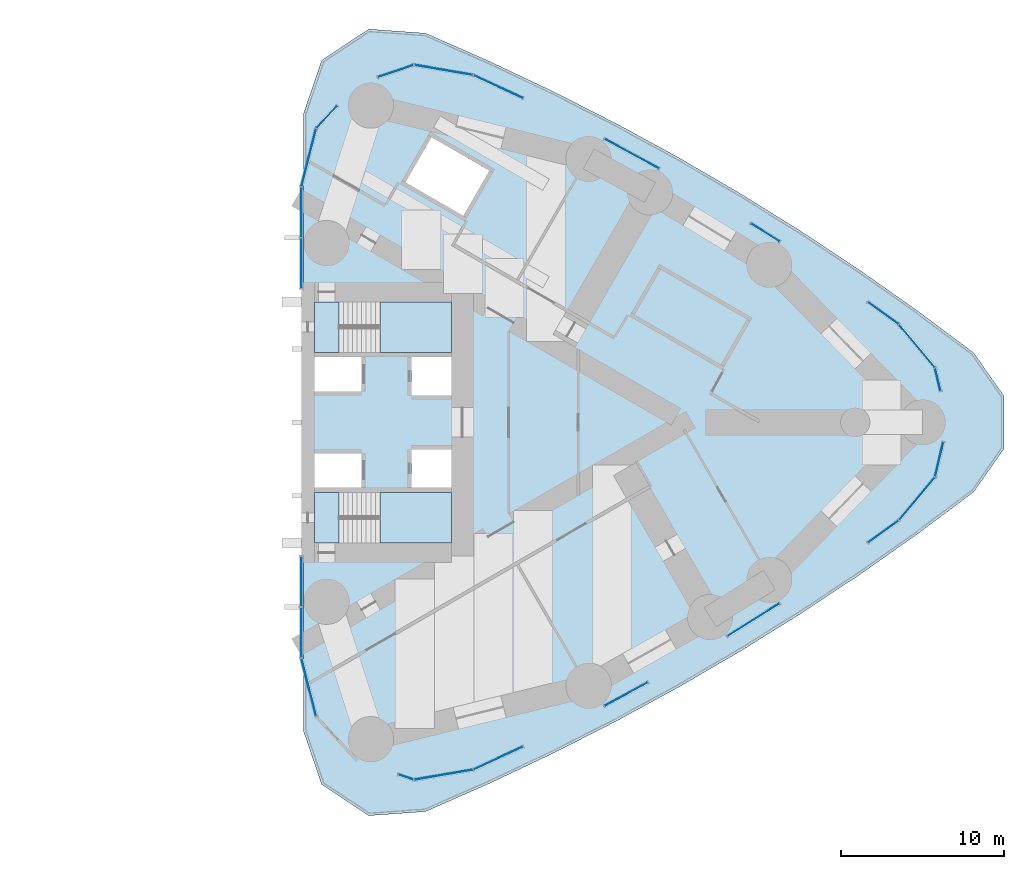
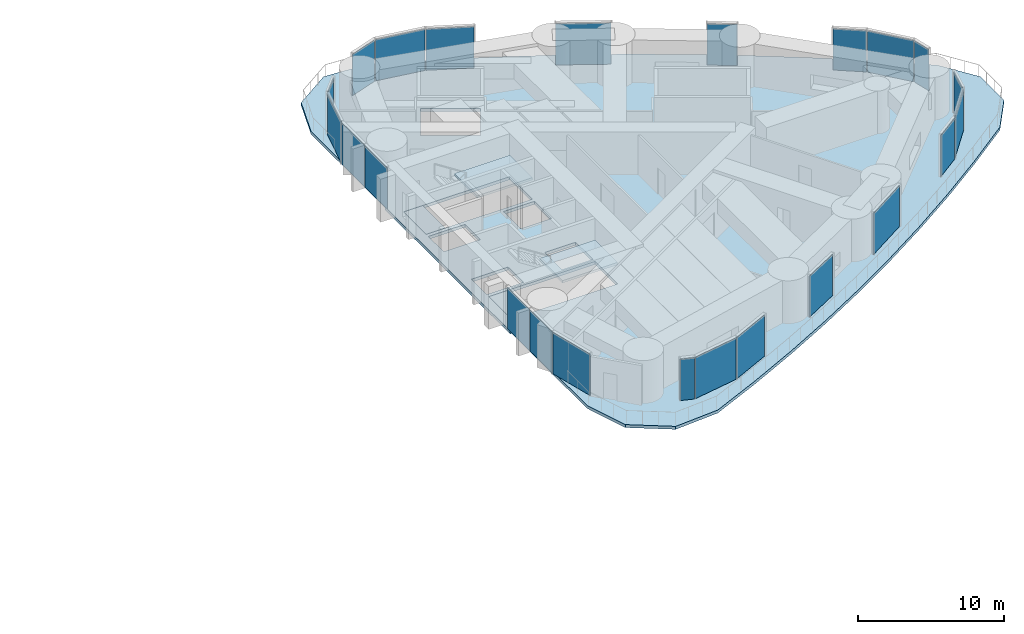
# One storey, part 10 of 17: 23 plates, 5 slabs, 12 elements without a shape of their own.
"""IFC4 building model written with IfcOpenShell, lengths in metres."""

from ifc_helpers import new_model, si_unit, direction, frame, origin, origin_2d, place, context, subcontext, project, spatial, polyline, rectangle, outline, extrude, material, layer, layer_set, type_object, element, aggregate, save


model = new_model("IFC4")

# Units and contexts
model_context = context("Model", 3, precision=1e-05, world=origin(), true_north=direction((0.0, 1.0)))
body_context = subcontext(model_context, "Body", "Model", "MODEL_VIEW")
ifc_project = project(units=[si_unit("LENGTHUNIT", "METRE"), si_unit("AREAUNIT", "SQUARE_METRE"), si_unit("VOLUMEUNIT", "CUBIC_METRE"), si_unit("PLANEANGLEUNIT", "RADIAN"), si_unit("MASSUNIT", "GRAM", prefix="KILO")], contexts=[model_context])

# Site, building, storey
site_placement = place(None, origin())
site = spatial("IfcSite", under=ifc_project, at=site_placement, CompositionType="ELEMENT")
building_placement = place(site_placement, origin())
building = spatial("IfcBuilding", under=site, at=building_placement, Name="Lancet Gate Hotel", CompositionType="ELEMENT")
storey_placement = place(building_placement, frame((0.0, 0.0, 152.699951171875)))
storey = spatial("IfcBuildingStorey", under=building, at=storey_placement, Name="L40", CompositionType="ELEMENT", Elevation=152.699951171875)

# Slab
ifc_material_1 = material(Name="Concrete C50/60", Category="concrete")
ifc_layer_1 = layer(ifc_material_1, 0.25)
ifc_layer_set_1 = layer_set([ifc_layer_1], Name="Floor slab 250")
slab_type_1 = type_object("IfcSlabType", Name="Floor slab 250", PredefinedType="FLOOR", material=ifc_layer_set_1)
slab_1_placement = place(storey_placement, frame((0.0, 0.0, -0.25)))
element("IfcSlab", 1, at=slab_1_placement, inside=storey, type_object=slab_type_1, Name="T2 L40 floor slab", PredefinedType="FLOOR", context=body_context, shape_type="SweptSolid", body=[
    extrude(outline(polyline([(27.5, -8.199951171875), (27.5, -8.60009765625), (27.6201171875, -8.60009765625), (27.6201171875, -14.450439453125), (27.6201171875, -18.923095703125), (28.7451171875, -22.22412109375), (31.63427734375, -24.1396484375), (35.112060546875, -23.890869140625), (39.0712890625, -22.150634765625), (42.996826171875, -20.29052734375), (46.867919921875, -18.31982421875), (50.681640625, -16.23974609375), (54.4345703125, -14.052490234375), (58.123779296875, -11.75927734375), (61.74658203125, -9.362548828125), (65.2998046875, -6.863525390625), (68.7666015625, -4.275390625), (70.627197265625, -1.6142578125), (70.627197265625, 1.6142578125), (68.7666015625, 4.275390625), (65.2998046875, 6.863525390625), (61.74658203125, 9.362548828125), (58.123779296875, 11.75927734375), (54.4345703125, 14.052490234375), (50.681640625, 16.23974609375), (46.867919921875, 18.31982421875), (42.996826171875, 20.29052734375), (39.0712890625, 22.150634765625), (35.112060546875, 23.890869140625), (31.63427734375, 24.1396484375), (28.7451171875, 22.22412109375), (27.6201171875, 18.923095703125), (27.6201171875, 14.450439453125), (27.6201171875, 8.60009765625), (27.5, 8.60009765625), (27.5, 8.199951171875), (27.5, -8.199951171875)]), holes=[polyline([(36.699951171875, -4.300048828125), (28.300048828125, -4.300048828125), (28.300048828125, -7.39990234375), (36.699951171875, -7.39990234375), (36.699951171875, -4.300048828125)]), polyline([(31.199951171875, -4.0), (31.199951171875, -1.89990234375), (28.300048828125, -1.89990234375), (28.300048828125, -4.0), (31.199951171875, -4.0)]), polyline([(36.699951171875, -4.0), (36.699951171875, -1.64990234375), (34.25, -1.64990234375), (34.25, -4.0), (36.699951171875, -4.0)]), polyline([(36.699951171875, 4.0), (34.25, 4.0), (34.25, 1.64990234375), (36.699951171875, 1.64990234375), (36.699951171875, 4.0)]), polyline([(31.199951171875, 1.89990234375), (31.199951171875, 4.0), (28.300048828125, 4.0), (28.300048828125, 1.89990234375), (31.199951171875, 1.89990234375)]), polyline([(36.699951171875, 4.300048828125), (36.699951171875, 7.39990234375), (28.300048828125, 7.39990234375), (28.300048828125, 4.300048828125), (36.699951171875, 4.300048828125)]), polyline([(37.43798828125, 12.680908203125), (39.0380859375, 15.451904296875), (35.488037109375, 17.501953125), (33.887939453125, 14.73095703125), (37.43798828125, 12.680908203125)])]), origin(), (0.0, 0.0, 1.0), 0.25),
])

# Stair, slabs
ifc_material_2 = material(Name="Exit stair 20 risers 1500")
stair_type = type_object("IfcStairType", Name="Exit stair 20 risers 1500", PredefinedType="HALF_TURN_STAIR", material=ifc_material_2)
stair_1_placement = place(storey_placement, origin())
stair_1 = element("IfcStair", 2, at=stair_1_placement, inside=storey, type_object=stair_type, Name="T2 stair 1 L40", PredefinedType="HALF_TURN_STAIR")
ifc_material_3 = material(Name="Concrete C40/50", Category="concrete")
ifc_layer_2 = layer(ifc_material_3, 0.199951171875)
ifc_layer_set_2 = layer_set([ifc_layer_2], Name="Stair landing 200")
slab_type_2 = type_object("IfcSlabType", Name="Stair landing 200", PredefinedType="LANDING", material=ifc_layer_set_2)
slab_2_placement = place(storey_placement, frame((0.0, 0.0, -0.199951171875)))
slab_2 = element("IfcSlab", 3, at=slab_2_placement, type_object=slab_type_2, Name="ST3 landing 1", PredefinedType="LANDING", context=body_context, shape_type="SweptSolid", body=[
    extrude(outline(polyline([(28.300048828125, -7.39990234375), (29.800048828125, -7.39990234375), (29.800048828125, -4.300048828125), (28.300048828125, -4.300048828125), (28.300048828125, -7.39990234375)])), origin(), (0.0, 0.0, 1.0), 0.199951171875),
])
slab_3_placement = place(storey_placement, frame((0.0, 0.0, 1.60009765625)))
slab_3 = element("IfcSlab", 4, at=slab_3_placement, type_object=slab_type_2, Name="ST3 landing 2", PredefinedType="LANDING", context=body_context, shape_type="SweptSolid", body=[
    extrude(outline(polyline([(32.320068359375, -7.39990234375), (36.699951171875, -7.39990234375), (36.699951171875, -4.300048828125), (32.320068359375, -4.300048828125), (32.320068359375, -7.39990234375)])), origin(), (0.0, 0.0, 1.0), 0.199951171875),
])
aggregate(stair_1, [slab_2, slab_3])

stair_2_placement = place(storey_placement, origin())
stair_2 = element("IfcStair", 5, at=stair_2_placement, inside=storey, type_object=stair_type, Name="T2 stair 2 L40", PredefinedType="HALF_TURN_STAIR")
slab_4_placement = place(storey_placement, frame((0.0, 0.0, -0.199951171875)))
slab_4 = element("IfcSlab", 6, at=slab_4_placement, type_object=slab_type_2, Name="ST4 landing 1", PredefinedType="LANDING", context=body_context, shape_type="SweptSolid", body=[
    extrude(outline(polyline([(28.300048828125, 4.300048828125), (29.800048828125, 4.300048828125), (29.800048828125, 7.39990234375), (28.300048828125, 7.39990234375), (28.300048828125, 4.300048828125)])), origin(), (0.0, 0.0, 1.0), 0.199951171875),
])
slab_5_placement = place(storey_placement, frame((0.0, 0.0, 1.60009765625)))
slab_5 = element("IfcSlab", 7, at=slab_5_placement, type_object=slab_type_2, Name="ST4 landing 2", PredefinedType="LANDING", context=body_context, shape_type="SweptSolid", body=[
    extrude(outline(polyline([(32.320068359375, 4.300048828125), (36.699951171875, 4.300048828125), (36.699951171875, 7.39990234375), (32.320068359375, 7.39990234375), (32.320068359375, 4.300048828125)])), origin(), (0.0, 0.0, 1.0), 0.199951171875),
])
aggregate(stair_2, [slab_4, slab_5])

# Curtain wall, plates
ifc_material_4 = material(Name="Aluminium curtain wall", Category="aluminium")
curtain_wall_type = type_object("IfcCurtainWallType", Name="Tower unitised curtain wall", PredefinedType="USERDEFINED", material=ifc_material_4)
curtain_wall_1_placement = place(storey_placement, origin())
curtain_wall_1 = element("IfcCurtainWall", 8, at=curtain_wall_1_placement, inside=storey, type_object=curtain_wall_type, Name="T2 L40 curtain wall 1", ObjectType="UNITISED CURTAIN WALL", PredefinedType="USERDEFINED")
ifc_material_5 = material(Name="Glass double glazed unit 8-16-6", Category="glass")
ifc_layer_3 = layer(ifc_material_5, 0.030029296875)
ifc_layer_set_3 = layer_set([ifc_layer_3], Name="Vision panel double glazed")
plate_type = type_object("IfcPlateType", Name="Vision panel double glazed", PredefinedType="CURTAIN_PANEL", material=ifc_layer_set_3)
plate_1_placement = place(storey_placement, frame((27.5, -9.766357421875, 0.0), z_axis=(0.0, 0.0, 1.0), x_axis=(0.0, -1.0, 0.0)))
plate_1 = element("IfcPlate", 9, at=plate_1_placement, type_object=plate_type, Name="T2 L40 curtain wall 1 panel 1", PredefinedType="CURTAIN_PANEL", context=body_context, shape_type="SweptSolid", body=[
    extrude(rectangle(XDim=3.06787109375, YDim=0.030029296875, at=origin_2d()), origin(), (0.0, 0.0, 1.0), 3.449951171875),
])
plate_2_placement = place(storey_placement, frame((27.5, -12.899169921875, 0.0), z_axis=(0.0, 0.0, 1.0), x_axis=(0.0, -1.0, 0.0)))
plate_2 = element("IfcPlate", 10, at=plate_2_placement, type_object=plate_type, Name="T2 L40 curtain wall 1 panel 2", PredefinedType="CURTAIN_PANEL", context=body_context, shape_type="SweptSolid", body=[
    extrude(rectangle(XDim=3.06787109375, YDim=0.030029296875, at=origin_2d()), origin(), (0.0, 0.0, 1.0), 3.449951171875),
])
plate_3_placement = place(storey_placement, frame((27.95458984375, -16.2548828125, 0.0), z_axis=(0.0, 0.0, 1.0), x_axis=(0.246166705764, -0.969227503207, 0.0)))
plate_3 = element("IfcPlate", 11, at=plate_3_placement, type_object=plate_type, Name="T2 L40 curtain wall 1 panel 3", PredefinedType="CURTAIN_PANEL", context=body_context, shape_type="SweptSolid", body=[
    extrude(rectangle(XDim=3.62744140625, YDim=0.030029296875, at=origin_2d()), origin(), (0.0, 0.0, 1.0), 3.449951171875),
])
aggregate(curtain_wall_1, [plate_1, plate_2, plate_3])

curtain_wall_2_placement = place(storey_placement, origin())
curtain_wall_2 = element("IfcCurtainWall", 12, at=curtain_wall_2_placement, inside=storey, type_object=curtain_wall_type, Name="T2 L40 curtain wall 2", ObjectType="UNITISED CURTAIN WALL", PredefinedType="USERDEFINED")
plate_4_placement = place(storey_placement, frame((33.913818359375, -21.7734375, 0.0), z_axis=(0.0, 0.0, 1.0), x_axis=(0.946952368511, -0.321373943827, 0.0)))
plate_4 = element("IfcPlate", 13, at=plate_4_placement, type_object=plate_type, Name="T2 L40 curtain wall 2 panel 1", PredefinedType="CURTAIN_PANEL", context=body_context, shape_type="SweptSolid", body=[
    extrude(rectangle(XDim=0.987548828125, YDim=0.030029296875, at=origin_2d()), origin(), (0.0, 0.0, 1.0), 3.449951171875),
])
plate_5_placement = place(storey_placement, frame((36.231689453125, -21.629638671875, 0.0), z_axis=(0.0, 0.0, 1.0), x_axis=(0.985539649572, 0.169444973729, 0.0)))
plate_5 = element("IfcPlate", 14, at=plate_5_placement, type_object=plate_type, Name="T2 L40 curtain wall 2 panel 2", PredefinedType="CURTAIN_PANEL", context=body_context, shape_type="SweptSolid", body=[
    extrude(rectangle(XDim=3.62744140625, YDim=0.030029296875, at=origin_2d()), origin(), (0.0, 0.0, 1.0), 3.449951171875),
])
plate_6_placement = place(storey_placement, frame((39.589599609375, -20.602294921875, 0.0), z_axis=(0.0, 0.0, 1.0), x_axis=(0.906934888522, 0.421270824982, 0.0)))
plate_6 = element("IfcPlate", 15, at=plate_6_placement, type_object=plate_type, Name="T2 L40 curtain wall 2 panel 3", PredefinedType="CURTAIN_PANEL", context=body_context, shape_type="SweptSolid", body=[
    extrude(rectangle(XDim=3.32763671875, YDim=0.030029296875, at=origin_2d()), origin(), (0.0, 0.0, 1.0), 3.449951171875),
])
aggregate(curtain_wall_2, [plate_4, plate_5, plate_6])

# Curtain wall, plate
curtain_wall_3_placement = place(storey_placement, origin())
curtain_wall_3 = element("IfcCurtainWall", 16, at=curtain_wall_3_placement, inside=storey, type_object=curtain_wall_type, Name="T2 L40 curtain wall 3", ObjectType="UNITISED CURTAIN WALL", PredefinedType="USERDEFINED")
plate_7_placement = place(storey_placement, frame((47.43408203125, -16.68115234375, 0.0), z_axis=(0.0, 0.0, 1.0), x_axis=(0.878409907967, 0.477907976063, 0.0)))
plate_7 = element("IfcPlate", 17, at=plate_7_placement, type_object=plate_type, Name="T2 L40 curtain wall 3 panel 1", PredefinedType="CURTAIN_PANEL", context=body_context, shape_type="SweptSolid", body=[
    extrude(rectangle(XDim=3.0234375, YDim=0.030029296875, at=origin_2d()), origin(), (0.0, 0.0, 1.0), 3.449951171875),
])
aggregate(curtain_wall_3, [plate_7])

curtain_wall_4_placement = place(storey_placement, origin())
curtain_wall_4 = element("IfcCurtainWall", 18, at=curtain_wall_4_placement, inside=storey, type_object=curtain_wall_type, Name="T2 L40 curtain wall 4", ObjectType="UNITISED CURTAIN WALL", PredefinedType="USERDEFINED")
plate_8_placement = place(storey_placement, frame((55.247314453125, -12.1162109375, 0.0), z_axis=(0.0, 0.0, 1.0), x_axis=(0.846352453444, 0.532623248225, 0.0)))
plate_8 = element("IfcPlate", 19, at=plate_8_placement, type_object=plate_type, Name="T2 L40 curtain wall 4 panel 1", PredefinedType="CURTAIN_PANEL", context=body_context, shape_type="SweptSolid", body=[
    extrude(rectangle(XDim=3.792724609375, YDim=0.030029296875, at=origin_2d()), origin(), (0.0, 0.0, 1.0), 3.449951171875),
])
aggregate(curtain_wall_4, [plate_8])

# Curtain wall, plates
curtain_wall_5_placement = place(storey_placement, origin())
curtain_wall_5 = element("IfcCurtainWall", 20, at=curtain_wall_5_placement, inside=storey, type_object=curtain_wall_type, Name="T2 L40 curtain wall 5", ObjectType="UNITISED CURTAIN WALL", PredefinedType="USERDEFINED")
plate_9_placement = place(storey_placement, frame((63.21484375, -6.703857421875, 0.0), z_axis=(0.0, 0.0, 1.0), x_axis=(0.810891442127, 0.585196607206, 0.0)))
plate_9 = element("IfcPlate", 21, at=plate_9_placement, type_object=plate_type, Name="T2 L40 curtain wall 5 panel 1", PredefinedType="CURTAIN_PANEL", context=body_context, shape_type="SweptSolid", body=[
    extrude(rectangle(XDim=2.301513671875, YDim=0.030029296875, at=origin_2d()), origin(), (0.0, 0.0, 1.0), 3.449951171875),
])
plate_10_placement = place(storey_placement, frame((65.283935546875, -4.68701171875, 0.0), z_axis=(0.0, 0.0, 1.0), x_axis=(0.642198636854, 0.766538264422, 0.0)))
plate_10 = element("IfcPlate", 22, at=plate_10_placement, type_object=plate_type, Name="T2 L40 curtain wall 5 panel 2", PredefinedType="CURTAIN_PANEL", context=body_context, shape_type="SweptSolid", body=[
    extrude(rectangle(XDim=3.390380859375, YDim=0.030029296875, at=origin_2d()), origin(), (0.0, 0.0, 1.0), 3.449951171875),
])
plate_11_placement = place(storey_placement, frame((66.65234375, -2.269287109375, 0.0), z_axis=(0.0, 0.0, 1.0), x_axis=(0.230366568544, 0.973103922558, 0.0)))
plate_11 = element("IfcPlate", 23, at=plate_11_placement, type_object=plate_type, Name="T2 L40 curtain wall 5 panel 3", PredefinedType="CURTAIN_PANEL", context=body_context, shape_type="SweptSolid", body=[
    extrude(rectangle(XDim=2.18212890625, YDim=0.030029296875, at=origin_2d()), origin(), (0.0, 0.0, 1.0), 3.449951171875),
])
aggregate(curtain_wall_5, [plate_9, plate_10, plate_11])

curtain_wall_6_placement = place(storey_placement, origin())
curtain_wall_6 = element("IfcCurtainWall", 24, at=curtain_wall_6_placement, inside=storey, type_object=curtain_wall_type, Name="T2 L40 curtain wall 6", ObjectType="UNITISED CURTAIN WALL", PredefinedType="USERDEFINED")
plate_12_placement = place(storey_placement, frame((66.56689453125, 2.630615234375, 0.0), z_axis=(0.0, 0.0, 1.0), x_axis=(-0.230366568544, 0.973103922558, 0.0)))
plate_12 = element("IfcPlate", 25, at=plate_12_placement, type_object=plate_type, Name="T2 L40 curtain wall 6 panel 1", PredefinedType="CURTAIN_PANEL", context=body_context, shape_type="SweptSolid", body=[
    extrude(rectangle(XDim=1.439208984375, YDim=0.030029296875, at=origin_2d()), origin(), (0.0, 0.0, 1.0), 3.449951171875),
])
plate_13_placement = place(storey_placement, frame((65.283935546875, 4.68701171875, 0.0), z_axis=(0.0, 0.0, 1.0), x_axis=(-0.642198636854, 0.766538264422, 0.0)))
plate_13 = element("IfcPlate", 26, at=plate_13_placement, type_object=plate_type, Name="T2 L40 curtain wall 6 panel 2", PredefinedType="CURTAIN_PANEL", context=body_context, shape_type="SweptSolid", body=[
    extrude(rectangle(XDim=3.390380859375, YDim=0.030029296875, at=origin_2d()), origin(), (0.0, 0.0, 1.0), 3.449951171875),
])
plate_14_placement = place(storey_placement, frame((63.21484375, 6.703857421875, 0.0), z_axis=(0.0, 0.0, 1.0), x_axis=(-0.810891442127, 0.585196607206, 0.0)))
plate_14 = element("IfcPlate", 27, at=plate_14_placement, type_object=plate_type, Name="T2 L40 curtain wall 6 panel 3", PredefinedType="CURTAIN_PANEL", context=body_context, shape_type="SweptSolid", body=[
    extrude(rectangle(XDim=2.301513671875, YDim=0.030029296875, at=origin_2d()), origin(), (0.0, 0.0, 1.0), 3.449951171875),
])
aggregate(curtain_wall_6, [plate_12, plate_13, plate_14])

# Curtain wall, plate
curtain_wall_7_placement = place(storey_placement, origin())
curtain_wall_7 = element("IfcCurtainWall", 28, at=curtain_wall_7_placement, inside=storey, type_object=curtain_wall_type, Name="T2 L40 curtain wall 7", ObjectType="UNITISED CURTAIN WALL", PredefinedType="USERDEFINED")
plate_15_placement = place(storey_placement, frame((55.9775390625, 11.65673828125, 0.0), z_axis=(0.0, 0.0, 1.0), x_axis=(-0.846352453444, 0.532623248225, 0.0)))
plate_15 = element("IfcPlate", 29, at=plate_15_placement, type_object=plate_type, Name="T2 L40 curtain wall 7 panel 1", PredefinedType="CURTAIN_PANEL", context=body_context, shape_type="SweptSolid", body=[
    extrude(rectangle(XDim=2.067138671875, YDim=0.030029296875, at=origin_2d()), origin(), (0.0, 0.0, 1.0), 3.449951171875),
])
aggregate(curtain_wall_7, [plate_15])

curtain_wall_8_placement = place(storey_placement, origin())
curtain_wall_8 = element("IfcCurtainWall", 30, at=curtain_wall_8_placement, inside=storey, type_object=curtain_wall_type, Name="T2 L40 curtain wall 8", ObjectType="UNITISED CURTAIN WALL", PredefinedType="USERDEFINED")
plate_16_placement = place(storey_placement, frame((47.77880859375, 16.49365234375, 0.0), z_axis=(0.0, 0.0, 1.0), x_axis=(-0.878409907967, 0.477907976063, 0.0)))
plate_16 = element("IfcPlate", 31, at=plate_16_placement, type_object=plate_type, Name="T2 L40 curtain wall 8 panel 1", PredefinedType="CURTAIN_PANEL", context=body_context, shape_type="SweptSolid", body=[
    extrude(rectangle(XDim=3.808349609375, YDim=0.030029296875, at=origin_2d()), origin(), (0.0, 0.0, 1.0), 3.449951171875),
])
aggregate(curtain_wall_8, [plate_16])

# Curtain wall, plates
curtain_wall_9_placement = place(storey_placement, origin())
curtain_wall_9 = element("IfcCurtainWall", 32, at=curtain_wall_9_placement, inside=storey, type_object=curtain_wall_type, Name="T2 L40 curtain wall 9", ObjectType="UNITISED CURTAIN WALL", PredefinedType="USERDEFINED")
plate_17_placement = place(storey_placement, frame((39.589599609375, 20.602294921875, 0.0), z_axis=(0.0, 0.0, 1.0), x_axis=(-0.906934888522, 0.421270824982, 0.0)))
plate_17 = element("IfcPlate", 33, at=plate_17_placement, type_object=plate_type, Name="T2 L40 curtain wall 9 panel 1", PredefinedType="CURTAIN_PANEL", context=body_context, shape_type="SweptSolid", body=[
    extrude(rectangle(XDim=3.32763671875, YDim=0.030029296875, at=origin_2d()), origin(), (0.0, 0.0, 1.0), 3.449951171875),
])
plate_18_placement = place(storey_placement, frame((36.231689453125, 21.629638671875, 0.0), z_axis=(0.0, 0.0, 1.0), x_axis=(-0.985539649572, 0.169444973729, 0.0)))
plate_18 = element("IfcPlate", 34, at=plate_18_placement, type_object=plate_type, Name="T2 L40 curtain wall 9 panel 2", PredefinedType="CURTAIN_PANEL", context=body_context, shape_type="SweptSolid", body=[
    extrude(rectangle(XDim=3.62744140625, YDim=0.030029296875, at=origin_2d()), origin(), (0.0, 0.0, 1.0), 3.449951171875),
])
plate_19_placement = place(storey_placement, frame((33.289306640625, 21.5615234375, 0.0), z_axis=(0.0, 0.0, 1.0), x_axis=(-0.946952368511, -0.321373943827, 0.0)))
plate_19 = element("IfcPlate", 35, at=plate_19_placement, type_object=plate_type, Name="T2 L40 curtain wall 9 panel 3", PredefinedType="CURTAIN_PANEL", context=body_context, shape_type="SweptSolid", body=[
    extrude(rectangle(XDim=2.306640625, YDim=0.030029296875, at=origin_2d()), origin(), (0.0, 0.0, 1.0), 3.449951171875),
])
aggregate(curtain_wall_9, [plate_17, plate_18, plate_19])

curtain_wall_10_placement = place(storey_placement, origin())
curtain_wall_10 = element("IfcCurtainWall", 36, at=curtain_wall_10_placement, inside=storey, type_object=curtain_wall_type, Name="T2 L40 curtain wall 10", ObjectType="UNITISED CURTAIN WALL", PredefinedType="USERDEFINED")
plate_20_placement = place(storey_placement, frame((29.05908203125, 18.747802734375, 0.0), z_axis=(0.0, 0.0, 1.0), x_axis=(-0.67883123083, -0.734294327943, 0.0)))
plate_20 = element("IfcPlate", 37, at=plate_20_placement, type_object=plate_type, Name="T2 L40 curtain wall 10 panel 1", PredefinedType="CURTAIN_PANEL", context=body_context, shape_type="SweptSolid", body=[
    extrude(rectangle(XDim=1.850341796875, YDim=0.030029296875, at=origin_2d()), origin(), (0.0, 0.0, 1.0), 3.449951171875),
])
plate_21_placement = place(storey_placement, frame((27.95458984375, 16.2548828125, 0.0), z_axis=(0.0, 0.0, 1.0), x_axis=(-0.246166705764, -0.969227503207, 0.0)))
plate_21 = element("IfcPlate", 38, at=plate_21_placement, type_object=plate_type, Name="T2 L40 curtain wall 10 panel 2", PredefinedType="CURTAIN_PANEL", context=body_context, shape_type="SweptSolid", body=[
    extrude(rectangle(XDim=3.62744140625, YDim=0.030029296875, at=origin_2d()), origin(), (0.0, 0.0, 1.0), 3.449951171875),
])
plate_22_placement = place(storey_placement, frame((27.5, 12.899169921875, 0.0), z_axis=(0.0, 0.0, 1.0), x_axis=(0.0, -1.0, 0.0)))
plate_22 = element("IfcPlate", 39, at=plate_22_placement, type_object=plate_type, Name="T2 L40 curtain wall 10 panel 3", PredefinedType="CURTAIN_PANEL", context=body_context, shape_type="SweptSolid", body=[
    extrude(rectangle(XDim=3.06787109375, YDim=0.030029296875, at=origin_2d()), origin(), (0.0, 0.0, 1.0), 3.449951171875),
])
plate_23_placement = place(storey_placement, frame((27.5, 9.766357421875, 0.0), z_axis=(0.0, 0.0, 1.0), x_axis=(0.0, -1.0, 0.0)))
plate_23 = element("IfcPlate", 40, at=plate_23_placement, type_object=plate_type, Name="T2 L40 curtain wall 10 panel 4", PredefinedType="CURTAIN_PANEL", context=body_context, shape_type="SweptSolid", body=[
    extrude(rectangle(XDim=3.06787109375, YDim=0.030029296875, at=origin_2d()), origin(), (0.0, 0.0, 1.0), 3.449951171875),
])
aggregate(curtain_wall_10, [plate_20, plate_21, plate_22, plate_23])

save(model, "model.ifc")
